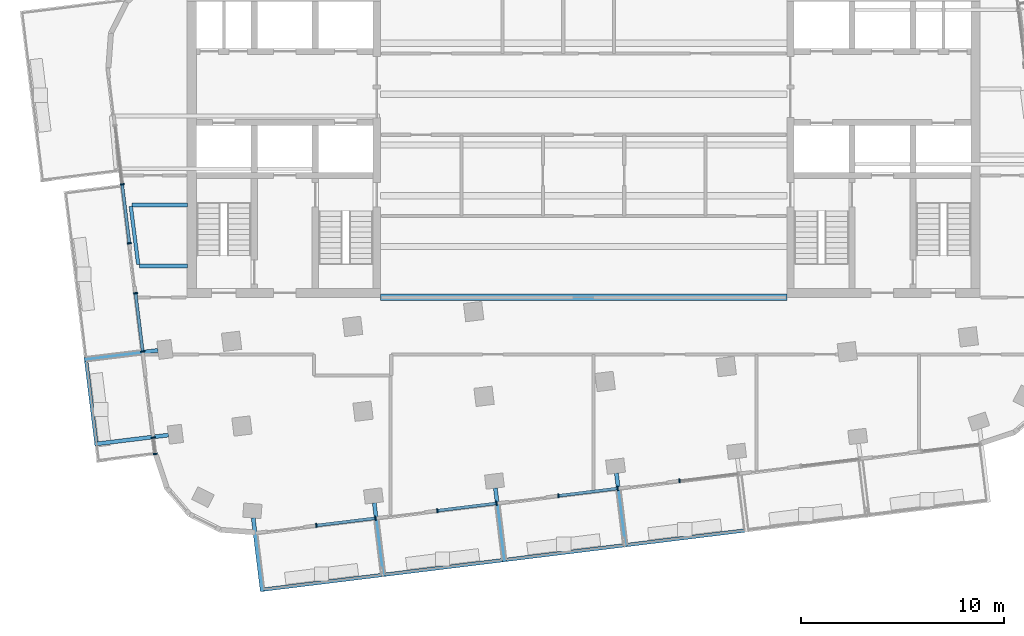
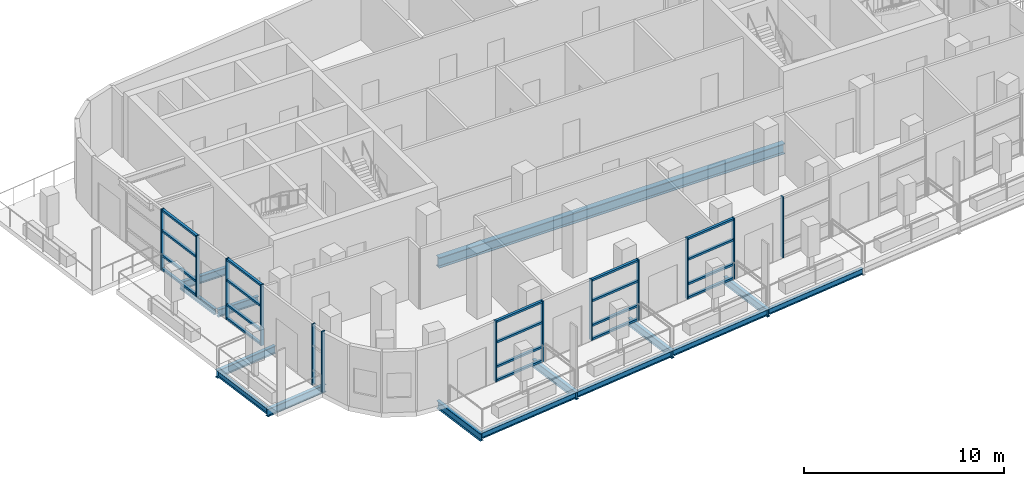
# One storey, part 2 of 14: 33 members, 15 beams, 7 elements without a shape of their own.
"""IFC4 building model written with IfcOpenShell, lengths in metres."""

from ifc_helpers import new_model, si_unit, direction, frame, origin, origin_2d, place, context, subcontext, project, spatial, rectangle, i_section, extrude, material, layer, layer_set, material_profile, profile_set, type_object, element, aggregate, save


model = new_model("IFC4")

# Units and contexts
model_context = context("Model", 3, precision=1e-05, world=origin(), true_north=direction((0.0, 1.0)))
body_context = subcontext(model_context, "Body", "Model", "MODEL_VIEW")
ifc_project = project(units=[si_unit("LENGTHUNIT", "METRE"), si_unit("AREAUNIT", "SQUARE_METRE"), si_unit("VOLUMEUNIT", "CUBIC_METRE"), si_unit("PLANEANGLEUNIT", "RADIAN"), si_unit("MASSUNIT", "GRAM", prefix="KILO")], contexts=[model_context])

# Site, building, storey
site_placement = place(None, origin())
site = spatial("IfcSite", under=ifc_project, at=site_placement, CompositionType="ELEMENT")
building_placement = place(site_placement, origin())
building = spatial("IfcBuilding", under=site, at=building_placement, Name="Torana Hotel and Residences", CompositionType="ELEMENT")
storey_placement = place(building_placement, frame((0.0, 0.0, 338.60009765625)))
storey = spatial("IfcBuildingStorey", under=building, at=storey_placement, Name="L89", CompositionType="ELEMENT", Elevation=338.60009765625)

# Beams
ifc_material_1 = material(Name="Steel S355", Category="steel")
ifc_material_profile_1 = material_profile(ifc_material_1, i_section(OverallWidth=0.19287109375, OverallDepth=0.46728515625, WebThickness=0.011474609375, FlangeThickness=0.01953125, FilletRadius=0.01025390625, at=origin_2d()), Name="457x191x98 UB")
ifc_profile_set_1 = profile_set([ifc_material_profile_1], Name="Steel S355")
beam_type_1 = type_object("IfcBeamType", Name="BALCONY CANTILEVER BEAM 457x191x98 UB", PredefinedType="BEAM", material=ifc_profile_set_1)
beam_1_placement = place(storey_placement, frame((-16.251708984375, -25.84130859375, -0.513671875), z_axis=(0.12194557952, -0.992536788051, 0.0), x_axis=(0.992536788051, 0.12194557952, 0.0)))
element("IfcBeam", 1, at=beam_1_placement, inside=storey, type_object=beam_type_1, Name="Balcony cantilever beam", PredefinedType="BEAM", context=body_context, shape_type="SweptSolid", body=[
    extrude(i_section(OverallWidth=0.19287109375, OverallDepth=0.46728515625, WebThickness=0.011474609375, FlangeThickness=0.01953125, FilletRadius=0.01025390625, at=origin_2d()), origin(), (0.0, 0.0, 1.0), 3.65380859375),
])
beam_2_placement = place(storey_placement, frame((-10.296630859375, -25.103515625, -0.513671875), z_axis=(0.121727603609, -0.992563544827, 0.0), x_axis=(0.992563544827, 0.121727603609, 0.0)))
element("IfcBeam", 2, at=beam_2_placement, inside=storey, type_object=beam_type_1, Name="Balcony cantilever beam", PredefinedType="BEAM", context=body_context, shape_type="SweptSolid", body=[
    extrude(i_section(OverallWidth=0.19287109375, OverallDepth=0.46728515625, WebThickness=0.011474609375, FlangeThickness=0.01953125, FilletRadius=0.01025390625, at=origin_2d()), origin(), (0.0, 0.0, 1.0), 3.66015625),
])
beam_3_placement = place(storey_placement, frame((-4.341552734375, -24.37255859375, -0.513671875), z_axis=(0.121809442808, -0.992553504675, 0.0), x_axis=(0.992553504675, 0.121809442808, 0.0)))
element("IfcBeam", 3, at=beam_3_placement, inside=storey, type_object=beam_type_1, Name="Balcony cantilever beam", PredefinedType="BEAM", context=body_context, shape_type="SweptSolid", body=[
    extrude(i_section(OverallWidth=0.19287109375, OverallDepth=0.46728515625, WebThickness=0.011474609375, FlangeThickness=0.01953125, FilletRadius=0.01025390625, at=origin_2d()), origin(), (0.0, 0.0, 1.0), 3.659912109375),
])
beam_4_placement = place(storey_placement, frame((1.61328125, -23.6416015625, -0.513671875), z_axis=(0.121948950891, -0.99253637383, 0.0), x_axis=(0.99253637383, 0.121948950891, 0.0)))
element("IfcBeam", 4, at=beam_4_placement, inside=storey, type_object=beam_type_1, Name="Balcony cantilever beam", PredefinedType="BEAM", context=body_context, shape_type="SweptSolid", body=[
    extrude(i_section(OverallWidth=0.19287109375, OverallDepth=0.46728515625, WebThickness=0.011474609375, FlangeThickness=0.01953125, FilletRadius=0.01025390625, at=origin_2d()), origin(), (0.0, 0.0, 1.0), 3.65966796875),
])
for number, where, z_axis, x_axis, name in (
    (5, (-20.930419921875, -17.603515625, -0.513671875), (-0.992537365838, -0.121940876722, 0.0), (0.121940876722, -0.992537365838, 0.0), "Balcony cantilever beam"),
    (6, (-20.41845703125, -21.7724609375, -0.513671875), (-0.992545437366, -0.121875160566, 0.0), (0.121875160566, -0.992545437366, 0.0), "Balcony cantilever beam"),
):
    element("IfcBeam", number, at=place(storey_placement, frame(where, z_axis=z_axis, x_axis=x_axis)), inside=storey, type_object=beam_type_1, Name=name, PredefinedType="BEAM", context=body_context, shape_type="SweptSolid", body=[
        extrude(i_section(OverallWidth=0.19287109375, OverallDepth=0.46728515625, WebThickness=0.011474609375, FlangeThickness=0.01953125, FilletRadius=0.01025390625, at=origin_2d()), origin(), (0.0, 0.0, 1.0), 3.659912109375),
    ])
beam_5_placement = place(storey_placement, frame((-19.489990234375, -13.449951171875, -0.513671875), z_axis=(-1.0, 0.0, 0.0), x_axis=(0.0, -1.0, 0.0)))
element("IfcBeam", 7, at=beam_5_placement, inside=storey, type_object=beam_type_1, Name="Balcony cantilever beam", PredefinedType="BEAM", context=body_context, shape_type="SweptSolid", body=[
    extrude(i_section(OverallWidth=0.19287109375, OverallDepth=0.46728515625, WebThickness=0.011474609375, FlangeThickness=0.01953125, FilletRadius=0.01025390625, at=origin_2d()), origin(), (0.0, 0.0, 1.0), 2.360107421875),
])
beam_6_placement = place(storey_placement, frame((-19.489990234375, -10.449951171875, -0.513671875), z_axis=(-1.0, 0.0, 0.0), x_axis=(0.0, -1.0, 0.0)))
element("IfcBeam", 8, at=beam_6_placement, inside=storey, type_object=beam_type_1, Name="Balcony cantilever beam", PredefinedType="BEAM", context=body_context, shape_type="SweptSolid", body=[
    extrude(i_section(OverallWidth=0.19287109375, OverallDepth=0.46728515625, WebThickness=0.011474609375, FlangeThickness=0.01953125, FilletRadius=0.01025390625, at=origin_2d()), origin(), (0.0, 0.0, 1.0), 2.728515625),
])
ifc_material_2 = material(Name="Steel S355", Category="steel")
ifc_material_profile_2 = material_profile(ifc_material_2, i_section(OverallWidth=0.173095703125, OverallDepth=0.36328125, WebThickness=0.009033203125, FlangeThickness=0.015625, FilletRadius=0.01025390625, at=origin_2d()), Name="356x171x67 UB")
ifc_profile_set_2 = profile_set([ifc_material_profile_2], Name="Steel S355")
beam_type_2 = type_object("IfcBeamType", Name="BALCONY TIP BEAM 356x171x67 UB", PredefinedType="BEAM", material=ifc_profile_set_2)
for number, where, z_axis, x_axis, name in (
    (9, (-9.927490234375, -28.65869140625, -0.4619140625), (-0.992545044936, -0.121878356459, 0.0), (0.121878356459, -0.992545044936, 0.0), "Balcony tip beam"),
    (10, (-3.97216796875, -27.92724609375, -0.4619140625), (-0.992540010453, -0.121919348955, 0.0), (0.121919348955, -0.992540010453, 0.0), "Balcony tip beam"),
    (11, (1.983154296875, -27.196044921875, -0.4619140625), (-0.992545044936, -0.121878356459, 0.0), (0.121878356459, -0.992545044936, 0.0), "Balcony tip beam"),
    (12, (7.9384765625, -26.46484375, -0.4619140625), (-0.992545044936, -0.121878356459, 0.0), (0.121878356459, -0.992545044936, 0.0), "Balcony tip beam"),
):
    element("IfcBeam", number, at=place(storey_placement, frame(where, z_axis=z_axis, x_axis=x_axis)), inside=storey, type_object=beam_type_2, Name=name, PredefinedType="BEAM", context=body_context, shape_type="SweptSolid", body=[
        extrude(i_section(OverallWidth=0.173095703125, OverallDepth=0.36328125, WebThickness=0.009033203125, FlangeThickness=0.015625, FilletRadius=0.01025390625, at=origin_2d()), origin(), (0.0, 0.0, 1.0), 5.8671875),
    ])
beam_7_placement = place(storey_placement, frame((-23.97314453125, -22.14208984375, -0.4619140625), z_axis=(-0.121906862374, 0.992541544171, 0.0), x_axis=(-0.992541544171, -0.121906862374, 0.0)))
element("IfcBeam", 13, at=beam_7_placement, inside=storey, type_object=beam_type_2, Name="Balcony tip beam", PredefinedType="BEAM", context=body_context, shape_type="SweptSolid", body=[
    extrude(i_section(OverallWidth=0.173095703125, OverallDepth=0.36328125, WebThickness=0.009033203125, FlangeThickness=0.015625, FilletRadius=0.01025390625, at=origin_2d()), origin(), (0.0, 0.0, 1.0), 4.0673828125),
])
beam_8_placement = place(storey_placement, frame((-21.90673828125, -13.383544921875, -0.4619140625), z_axis=(-0.127443407553, 0.991845843804, 0.0), x_axis=(-0.991845843804, -0.127443407553, 0.0)))
element("IfcBeam", 14, at=beam_8_placement, inside=storey, type_object=beam_type_2, Name="Balcony tip beam", PredefinedType="BEAM", context=body_context, shape_type="SweptSolid", body=[
    extrude(i_section(OverallWidth=0.173095703125, OverallDepth=0.36328125, WebThickness=0.009033203125, FlangeThickness=0.015625, FilletRadius=0.01025390625, at=origin_2d()), origin(), (0.0, 0.0, 1.0), 2.890869140625),
])

# Curtain wall, members
ifc_material_3 = material(Name="Dark anodised aluminium", Category="aluminium")
ifc_layer = layer(ifc_material_3, 0.199951171875)
ifc_layer_set = layer_set([ifc_layer], Name="CW3 SKY CLUB UNITISED CURTAIN WALL")
curtain_wall_type = type_object("IfcCurtainWallType", Name="CW3 SKY CLUB UNITISED CURTAIN WALL", PredefinedType="NOTDEFINED", material=ifc_layer_set)
curtain_wall_1_placement = place(storey_placement, origin())
curtain_wall_1 = element("IfcCurtainWall", 15, at=curtain_wall_1_placement, inside=storey, type_object=curtain_wall_type, Name="Curtain wall CW3 L89 e0.9-2", PredefinedType="NOTDEFINED")
ifc_material_4 = material(Name="Dark anodised aluminium", Category="aluminium")
ifc_material_profile_3 = material_profile(ifc_material_4, rectangle(XDim=0.199951171875, YDim=0.070068359375, at=origin_2d()), Name="CW3 MULLION 70x200")
ifc_profile_set_3 = profile_set([ifc_material_profile_3], Name="Dark anodised aluminium")
member_type_1 = type_object("IfcMemberType", Name="CW3 MULLION 70x200", PredefinedType="MULLION", material=ifc_profile_set_3)
member_1_placement = place(storey_placement, frame((-22.69873046875, -9.43701171875, 0.0), z_axis=(0.0, 0.0, 1.0), x_axis=(0.992545392029, 0.121875529794, 0.0)))
member_1 = element("IfcMember", 16, at=member_1_placement, type_object=member_type_1, Name="CW3 mullion 2", PredefinedType="MULLION", context=body_context, shape_type="SweptSolid", body=[
    extrude(rectangle(XDim=0.199951171875, YDim=0.070068359375, at=origin_2d()), origin(), (0.0, 0.0, 1.0), 3.719970703125),
])
member_2_placement = place(storey_placement, frame((-22.34228515625, -12.339111328125, 0.0), z_axis=(0.0, 0.0, 1.0), x_axis=(0.992545392029, 0.121875529794, 0.0)))
member_2 = element("IfcMember", 17, at=member_2_placement, type_object=member_type_1, Name="CW3 mullion 3", PredefinedType="MULLION", context=body_context, shape_type="SweptSolid", body=[
    extrude(rectangle(XDim=0.199951171875, YDim=0.070068359375, at=origin_2d()), origin(), (0.0, 0.0, 1.0), 3.719970703125),
])

curtain_wall_2_placement = place(storey_placement, origin())
curtain_wall_2 = element("IfcCurtainWall", 18, at=curtain_wall_2_placement, inside=storey, type_object=curtain_wall_type, Name="Curtain wall CW3 L89 e0.9-4", PredefinedType="NOTDEFINED")
member_3_placement = place(storey_placement, frame((-22.041259765625, -14.79052734375, 0.0), z_axis=(0.0, 0.0, 1.0), x_axis=(0.992547610171, 0.121857464048, 0.0)))
member_3 = element("IfcMember", 19, at=member_3_placement, type_object=member_type_1, Name="CW3 mullion 1", PredefinedType="MULLION", context=body_context, shape_type="SweptSolid", body=[
    extrude(rectangle(XDim=0.199951171875, YDim=0.070068359375, at=origin_2d()), origin(), (0.0, 0.0, 1.0), 3.719970703125),
])
member_4_placement = place(storey_placement, frame((-21.68896484375, -17.66162109375, 0.0), z_axis=(0.0, 0.0, 1.0), x_axis=(0.992547610171, 0.121857464048, 0.0)))
member_4 = element("IfcMember", 20, at=member_4_placement, type_object=member_type_1, Name="CW3 mullion 2", PredefinedType="MULLION", context=body_context, shape_type="SweptSolid", body=[
    extrude(rectangle(XDim=0.199951171875, YDim=0.070068359375, at=origin_2d()), origin(), (0.0, 0.0, 1.0), 3.719970703125),
])

curtain_wall_3_placement = place(storey_placement, origin())
curtain_wall_3 = element("IfcCurtainWall", 21, at=curtain_wall_3_placement, inside=storey, type_object=curtain_wall_type, Name="Curtain wall CW3 L89 e0.9-6", PredefinedType="NOTDEFINED")
member_5_placement = place(storey_placement, frame((-21.16845703125, -21.899658203125, 0.0), z_axis=(0.0, 0.0, 1.0), x_axis=(0.992544425058, 0.121883404477, 0.0)))
member_5 = element("IfcMember", 22, at=member_5_placement, type_object=member_type_1, Name="CW3 mullion 1", PredefinedType="MULLION", context=body_context, shape_type="SweptSolid", body=[
    extrude(rectangle(XDim=0.199951171875, YDim=0.070068359375, at=origin_2d()), origin(), (0.0, 0.0, 1.0), 3.719970703125),
])
member_6_placement = place(storey_placement, frame((-21.0703125, -22.69921875, 0.0), z_axis=(0.0, 0.0, 1.0), x_axis=(0.992544425058, 0.121883404477, 0.0)))
member_6 = element("IfcMember", 23, at=member_6_placement, type_object=member_type_1, Name="CW3 mullion 2", PredefinedType="MULLION", context=body_context, shape_type="SweptSolid", body=[
    extrude(rectangle(XDim=0.199951171875, YDim=0.070068359375, at=origin_2d()), origin(), (0.0, 0.0, 1.0), 3.719970703125),
])
aggregate(curtain_wall_3, [member_5, member_6])

curtain_wall_4_placement = place(storey_placement, origin())
curtain_wall_4 = element("IfcCurtainWall", 24, at=curtain_wall_4_placement, inside=storey, type_object=curtain_wall_type, Name="Curtain wall CW3 L89 e0.14-2", PredefinedType="NOTDEFINED")
member_7_placement = place(storey_placement, frame((-13.147216796875, -26.21923828125, 0.0), z_axis=(0.0, 0.0, 1.0), x_axis=(-0.121868256929, 0.992546285043, 0.0)))
member_7 = element("IfcMember", 25, at=member_7_placement, type_object=member_type_1, Name="CW3 mullion 1", PredefinedType="MULLION", context=body_context, shape_type="SweptSolid", body=[
    extrude(rectangle(XDim=0.199951171875, YDim=0.070068359375, at=origin_2d()), origin(), (0.0, 0.0, 1.0), 3.719970703125),
])
member_8_placement = place(storey_placement, frame((-10.2392578125, -25.8623046875, 0.0), z_axis=(0.0, 0.0, 1.0), x_axis=(-0.121868256929, 0.992546285043, 0.0)))
member_8 = element("IfcMember", 26, at=member_8_placement, type_object=member_type_1, Name="CW3 mullion 2", PredefinedType="MULLION", context=body_context, shape_type="SweptSolid", body=[
    extrude(rectangle(XDim=0.199951171875, YDim=0.070068359375, at=origin_2d()), origin(), (0.0, 0.0, 1.0), 3.719970703125),
])

curtain_wall_5_placement = place(storey_placement, origin())
curtain_wall_5 = element("IfcCurtainWall", 27, at=curtain_wall_5_placement, inside=storey, type_object=curtain_wall_type, Name="Curtain wall CW3 L89 e0.14-4", PredefinedType="NOTDEFINED")
member_9_placement = place(storey_placement, frame((-7.192138671875, -25.488037109375, 0.0), z_axis=(0.0, 0.0, 1.0), x_axis=(-0.121864225005, 0.992546780088, 0.0)))
member_9 = element("IfcMember", 28, at=member_9_placement, type_object=member_type_1, Name="CW3 mullion 1", PredefinedType="MULLION", context=body_context, shape_type="SweptSolid", body=[
    extrude(rectangle(XDim=0.199951171875, YDim=0.070068359375, at=origin_2d()), origin(), (0.0, 0.0, 1.0), 3.719970703125),
])
member_10_placement = place(storey_placement, frame((-4.283935546875, -25.131103515625, 0.0), z_axis=(0.0, 0.0, 1.0), x_axis=(-0.121864225005, 0.992546780088, 0.0)))
member_10 = element("IfcMember", 29, at=member_10_placement, type_object=member_type_1, Name="CW3 mullion 2", PredefinedType="MULLION", context=body_context, shape_type="SweptSolid", body=[
    extrude(rectangle(XDim=0.199951171875, YDim=0.070068359375, at=origin_2d()), origin(), (0.0, 0.0, 1.0), 3.719970703125),
])

curtain_wall_6_placement = place(storey_placement, origin())
curtain_wall_6 = element("IfcCurtainWall", 30, at=curtain_wall_6_placement, inside=storey, type_object=curtain_wall_type, Name="Curtain wall CW3 L89 e0.14-6", PredefinedType="NOTDEFINED")
member_11_placement = place(storey_placement, frame((-1.23681640625, -24.7568359375, 0.0), z_axis=(0.0, 0.0, 1.0), x_axis=(-0.121864225005, 0.992546780088, 0.0)))
member_11 = element("IfcMember", 31, at=member_11_placement, type_object=member_type_1, Name="CW3 mullion 1", PredefinedType="MULLION", context=body_context, shape_type="SweptSolid", body=[
    extrude(rectangle(XDim=0.199951171875, YDim=0.070068359375, at=origin_2d()), origin(), (0.0, 0.0, 1.0), 3.719970703125),
])
member_12_placement = place(storey_placement, frame((1.67138671875, -24.39990234375, 0.0), z_axis=(0.0, 0.0, 1.0), x_axis=(-0.121864225005, 0.992546780088, 0.0)))
member_12 = element("IfcMember", 32, at=member_12_placement, type_object=member_type_1, Name="CW3 mullion 2", PredefinedType="MULLION", context=body_context, shape_type="SweptSolid", body=[
    extrude(rectangle(XDim=0.199951171875, YDim=0.070068359375, at=origin_2d()), origin(), (0.0, 0.0, 1.0), 3.719970703125),
])

# Curtain wall, member
curtain_wall_7_placement = place(storey_placement, origin())
curtain_wall_7 = element("IfcCurtainWall", 33, at=curtain_wall_7_placement, inside=storey, type_object=curtain_wall_type, Name="Curtain wall CW3 L89 e0.14-8", PredefinedType="NOTDEFINED")
member_13_placement = place(storey_placement, frame((4.718505859375, -24.025634765625, 0.0), z_axis=(0.0, 0.0, 1.0), x_axis=(-0.121868256929, 0.992546285043, 0.0)))
member_13 = element("IfcMember", 34, at=member_13_placement, type_object=member_type_1, Name="CW3 mullion 1", PredefinedType="MULLION", context=body_context, shape_type="SweptSolid", body=[
    extrude(rectangle(XDim=0.199951171875, YDim=0.070068359375, at=origin_2d()), origin(), (0.0, 0.0, 1.0), 3.719970703125),
])
aggregate(curtain_wall_7, [member_13])

# Member
ifc_material_5 = material(Name="Dark anodised aluminium", Category="aluminium")
ifc_material_profile_4 = material_profile(ifc_material_5, rectangle(XDim=0.14990234375, YDim=0.1201171875, at=origin_2d()), Name="CW3 TRANSOM 150x120")
ifc_profile_set_4 = profile_set([ifc_material_profile_4], Name="Dark anodised aluminium")
member_type_2 = type_object("IfcMemberType", Name="CW3 TRANSOM 150x120", PredefinedType="USERDEFINED", material=ifc_profile_set_4)
member_14_placement = place(storey_placement, frame((-22.6943359375, -9.471923828125, 0.059814453125), z_axis=(0.121823286606, -0.99255180562, 0.0), x_axis=(0.99255180562, 0.121823286606, 0.0)))
member_14 = element("IfcMember", 35, at=member_14_placement, type_object=member_type_2, Name="CW3 transom 2.1", ObjectType="TRANSOM", PredefinedType="USERDEFINED", context=body_context, shape_type="SweptSolid", body=[
    extrude(rectangle(XDim=0.14990234375, YDim=0.1201171875, at=origin_2d()), origin(), (0.0, 0.0, 1.0), 2.853759765625),
])

member_15_placement = place(storey_placement, frame((-22.6943359375, -9.471923828125, 0.89990234375), z_axis=(0.121823286606, -0.99255180562, 0.0), x_axis=(0.99255180562, 0.121823286606, 0.0)))
member_15 = element("IfcMember", 36, at=member_15_placement, type_object=member_type_2, Name="CW3 transom 2.2", ObjectType="TRANSOM", PredefinedType="USERDEFINED", context=body_context, shape_type="SweptSolid", body=[
    extrude(rectangle(XDim=0.14990234375, YDim=0.1201171875, at=origin_2d()), origin(), (0.0, 0.0, 1.0), 2.853759765625),
])

member_16_placement = place(storey_placement, frame((-22.6943359375, -9.471923828125, 2.39990234375), z_axis=(0.121823286606, -0.99255180562, 0.0), x_axis=(0.99255180562, 0.121823286606, 0.0)))
member_16 = element("IfcMember", 37, at=member_16_placement, type_object=member_type_2, Name="CW3 transom 2.3", ObjectType="TRANSOM", PredefinedType="USERDEFINED", context=body_context, shape_type="SweptSolid", body=[
    extrude(rectangle(XDim=0.14990234375, YDim=0.1201171875, at=origin_2d()), origin(), (0.0, 0.0, 1.0), 2.853759765625),
])

member_17_placement = place(storey_placement, frame((-22.6943359375, -9.471923828125, 3.659912109375), z_axis=(0.121823286606, -0.99255180562, 0.0), x_axis=(0.99255180562, 0.121823286606, 0.0)))
member_17 = element("IfcMember", 38, at=member_17_placement, type_object=member_type_2, Name="CW3 transom 2.4", ObjectType="TRANSOM", PredefinedType="USERDEFINED", context=body_context, shape_type="SweptSolid", body=[
    extrude(rectangle(XDim=0.14990234375, YDim=0.1201171875, at=origin_2d()), origin(), (0.0, 0.0, 1.0), 2.853759765625),
])

aggregate(curtain_wall_1, [member_1, member_2, member_14, member_15, member_16, member_17])

member_18_placement = place(storey_placement, frame((-22.037109375, -14.825439453125, 0.059814453125), z_axis=(0.12188382621, -0.992544373269, 0.0), x_axis=(0.992544373269, 0.12188382621, 0.0)))
member_18 = element("IfcMember", 39, at=member_18_placement, type_object=member_type_2, Name="CW3 transom 1.1", ObjectType="TRANSOM", PredefinedType="USERDEFINED", context=body_context, shape_type="SweptSolid", body=[
    extrude(rectangle(XDim=0.14990234375, YDim=0.1201171875, at=origin_2d()), origin(), (0.0, 0.0, 1.0), 2.822265625),
])

member_19_placement = place(storey_placement, frame((-22.037109375, -14.825439453125, 0.89990234375), z_axis=(0.12188382621, -0.992544373269, 0.0), x_axis=(0.992544373269, 0.12188382621, 0.0)))
member_19 = element("IfcMember", 40, at=member_19_placement, type_object=member_type_2, Name="CW3 transom 1.2", ObjectType="TRANSOM", PredefinedType="USERDEFINED", context=body_context, shape_type="SweptSolid", body=[
    extrude(rectangle(XDim=0.14990234375, YDim=0.1201171875, at=origin_2d()), origin(), (0.0, 0.0, 1.0), 2.822265625),
])

member_20_placement = place(storey_placement, frame((-22.037109375, -14.825439453125, 2.39990234375), z_axis=(0.12188382621, -0.992544373269, 0.0), x_axis=(0.992544373269, 0.12188382621, 0.0)))
member_20 = element("IfcMember", 41, at=member_20_placement, type_object=member_type_2, Name="CW3 transom 1.3", ObjectType="TRANSOM", PredefinedType="USERDEFINED", context=body_context, shape_type="SweptSolid", body=[
    extrude(rectangle(XDim=0.14990234375, YDim=0.1201171875, at=origin_2d()), origin(), (0.0, 0.0, 1.0), 2.822265625),
])

member_21_placement = place(storey_placement, frame((-22.037109375, -14.825439453125, 3.659912109375), z_axis=(0.12188382621, -0.992544373269, 0.0), x_axis=(0.992544373269, 0.12188382621, 0.0)))
member_21 = element("IfcMember", 42, at=member_21_placement, type_object=member_type_2, Name="CW3 transom 1.4", ObjectType="TRANSOM", PredefinedType="USERDEFINED", context=body_context, shape_type="SweptSolid", body=[
    extrude(rectangle(XDim=0.14990234375, YDim=0.1201171875, at=origin_2d()), origin(), (0.0, 0.0, 1.0), 2.822265625),
])

aggregate(curtain_wall_2, [member_3, member_4, member_18, member_19, member_20, member_21])

member_22_placement = place(storey_placement, frame((-13.112548828125, -26.215087890625, 0.059814453125), z_axis=(0.992542186909, 0.121901629217, 0.0), x_axis=(-0.121901629217, 0.992542186909, 0.0)))
member_22 = element("IfcMember", 43, at=member_22_placement, type_object=member_type_2, Name="CW3 transom 1.1", ObjectType="TRANSOM", PredefinedType="USERDEFINED", context=body_context, shape_type="SweptSolid", body=[
    extrude(rectangle(XDim=0.14990234375, YDim=0.1201171875, at=origin_2d()), origin(), (0.0, 0.0, 1.0), 2.85986328125),
])

member_23_placement = place(storey_placement, frame((-13.112548828125, -26.215087890625, 0.89990234375), z_axis=(0.992542186909, 0.121901629217, 0.0), x_axis=(-0.121901629217, 0.992542186909, 0.0)))
member_23 = element("IfcMember", 44, at=member_23_placement, type_object=member_type_2, Name="CW3 transom 1.2", ObjectType="TRANSOM", PredefinedType="USERDEFINED", context=body_context, shape_type="SweptSolid", body=[
    extrude(rectangle(XDim=0.14990234375, YDim=0.1201171875, at=origin_2d()), origin(), (0.0, 0.0, 1.0), 2.85986328125),
])

member_24_placement = place(storey_placement, frame((-13.112548828125, -26.215087890625, 2.39990234375), z_axis=(0.992542186909, 0.121901629217, 0.0), x_axis=(-0.121901629217, 0.992542186909, 0.0)))
member_24 = element("IfcMember", 45, at=member_24_placement, type_object=member_type_2, Name="CW3 transom 1.3", ObjectType="TRANSOM", PredefinedType="USERDEFINED", context=body_context, shape_type="SweptSolid", body=[
    extrude(rectangle(XDim=0.14990234375, YDim=0.1201171875, at=origin_2d()), origin(), (0.0, 0.0, 1.0), 2.85986328125),
])

member_25_placement = place(storey_placement, frame((-13.112548828125, -26.215087890625, 3.659912109375), z_axis=(0.992542186909, 0.121901629217, 0.0), x_axis=(-0.121901629217, 0.992542186909, 0.0)))
member_25 = element("IfcMember", 46, at=member_25_placement, type_object=member_type_2, Name="CW3 transom 1.4", ObjectType="TRANSOM", PredefinedType="USERDEFINED", context=body_context, shape_type="SweptSolid", body=[
    extrude(rectangle(XDim=0.14990234375, YDim=0.1201171875, at=origin_2d()), origin(), (0.0, 0.0, 1.0), 2.85986328125),
])

aggregate(curtain_wall_4, [member_7, member_8, member_22, member_23, member_24, member_25])

member_26_placement = place(storey_placement, frame((-7.1572265625, -25.48388671875, 0.059814453125), z_axis=(0.992542186909, 0.121901629217, 0.0), x_axis=(-0.121901629217, 0.992542186909, 0.0)))
member_26 = element("IfcMember", 47, at=member_26_placement, type_object=member_type_2, Name="CW3 transom 1.1", ObjectType="TRANSOM", PredefinedType="USERDEFINED", context=body_context, shape_type="SweptSolid", body=[
    extrude(rectangle(XDim=0.14990234375, YDim=0.1201171875, at=origin_2d()), origin(), (0.0, 0.0, 1.0), 2.85986328125),
])

member_27_placement = place(storey_placement, frame((-7.1572265625, -25.48388671875, 0.89990234375), z_axis=(0.992542186909, 0.121901629217, 0.0), x_axis=(-0.121901629217, 0.992542186909, 0.0)))
member_27 = element("IfcMember", 48, at=member_27_placement, type_object=member_type_2, Name="CW3 transom 1.2", ObjectType="TRANSOM", PredefinedType="USERDEFINED", context=body_context, shape_type="SweptSolid", body=[
    extrude(rectangle(XDim=0.14990234375, YDim=0.1201171875, at=origin_2d()), origin(), (0.0, 0.0, 1.0), 2.85986328125),
])

member_28_placement = place(storey_placement, frame((-7.1572265625, -25.48388671875, 2.39990234375), z_axis=(0.992542186909, 0.121901629217, 0.0), x_axis=(-0.121901629217, 0.992542186909, 0.0)))
member_28 = element("IfcMember", 49, at=member_28_placement, type_object=member_type_2, Name="CW3 transom 1.3", ObjectType="TRANSOM", PredefinedType="USERDEFINED", context=body_context, shape_type="SweptSolid", body=[
    extrude(rectangle(XDim=0.14990234375, YDim=0.1201171875, at=origin_2d()), origin(), (0.0, 0.0, 1.0), 2.85986328125),
])

member_29_placement = place(storey_placement, frame((-7.1572265625, -25.48388671875, 3.659912109375), z_axis=(0.992542186909, 0.121901629217, 0.0), x_axis=(-0.121901629217, 0.992542186909, 0.0)))
member_29 = element("IfcMember", 50, at=member_29_placement, type_object=member_type_2, Name="CW3 transom 1.4", ObjectType="TRANSOM", PredefinedType="USERDEFINED", context=body_context, shape_type="SweptSolid", body=[
    extrude(rectangle(XDim=0.14990234375, YDim=0.1201171875, at=origin_2d()), origin(), (0.0, 0.0, 1.0), 2.85986328125),
])

aggregate(curtain_wall_5, [member_9, member_10, member_26, member_27, member_28, member_29])

member_30_placement = place(storey_placement, frame((-1.201904296875, -24.752685546875, 0.059814453125), z_axis=(0.992542186909, 0.121901629217, 0.0), x_axis=(-0.121901629217, 0.992542186909, 0.0)))
member_30 = element("IfcMember", 51, at=member_30_placement, type_object=member_type_2, Name="CW3 transom 1.1", ObjectType="TRANSOM", PredefinedType="USERDEFINED", context=body_context, shape_type="SweptSolid", body=[
    extrude(rectangle(XDim=0.14990234375, YDim=0.1201171875, at=origin_2d()), origin(), (0.0, 0.0, 1.0), 2.85986328125),
])

member_31_placement = place(storey_placement, frame((-1.201904296875, -24.752685546875, 0.89990234375), z_axis=(0.992542186909, 0.121901629217, 0.0), x_axis=(-0.121901629217, 0.992542186909, 0.0)))
member_31 = element("IfcMember", 52, at=member_31_placement, type_object=member_type_2, Name="CW3 transom 1.2", ObjectType="TRANSOM", PredefinedType="USERDEFINED", context=body_context, shape_type="SweptSolid", body=[
    extrude(rectangle(XDim=0.14990234375, YDim=0.1201171875, at=origin_2d()), origin(), (0.0, 0.0, 1.0), 2.85986328125),
])

member_32_placement = place(storey_placement, frame((-1.201904296875, -24.752685546875, 2.39990234375), z_axis=(0.992542186909, 0.121901629217, 0.0), x_axis=(-0.121901629217, 0.992542186909, 0.0)))
member_32 = element("IfcMember", 53, at=member_32_placement, type_object=member_type_2, Name="CW3 transom 1.3", ObjectType="TRANSOM", PredefinedType="USERDEFINED", context=body_context, shape_type="SweptSolid", body=[
    extrude(rectangle(XDim=0.14990234375, YDim=0.1201171875, at=origin_2d()), origin(), (0.0, 0.0, 1.0), 2.85986328125),
])

member_33_placement = place(storey_placement, frame((-1.201904296875, -24.752685546875, 3.659912109375), z_axis=(0.992542186909, 0.121901629217, 0.0), x_axis=(-0.121901629217, 0.992542186909, 0.0)))
member_33 = element("IfcMember", 54, at=member_33_placement, type_object=member_type_2, Name="CW3 transom 1.4", ObjectType="TRANSOM", PredefinedType="USERDEFINED", context=body_context, shape_type="SweptSolid", body=[
    extrude(rectangle(XDim=0.14990234375, YDim=0.1201171875, at=origin_2d()), origin(), (0.0, 0.0, 1.0), 2.85986328125),
])

aggregate(curtain_wall_6, [member_11, member_12, member_30, member_31, member_32, member_33])

# Beam
ifc_material_6 = material(Name="Steel S355", Category="steel")
ifc_material_profile_5 = material_profile(ifc_material_6, i_section(OverallWidth=0.311279296875, OverallDepth=0.6357421875, WebThickness=0.018310546875, FlangeThickness=0.031494140625, FilletRadius=0.0166015625, at=origin_2d()), Name="610x305x238 UB")
ifc_profile_set_5 = profile_set([ifc_material_profile_5], Name="Steel S355")
beam_type_3 = type_object("IfcBeamType", Name="STEEL GIRDER 610x305x238 UB", PredefinedType="BEAM", material=ifc_profile_set_5)
beam_9_placement = place(storey_placement, frame((-10.0, -15.0, -0.597900390625), z_axis=(1.0, 0.0, 0.0), x_axis=(0.0, 1.0, 0.0)))
element("IfcBeam", 55, at=beam_9_placement, inside=storey, type_object=beam_type_3, Name="Floor girder", PredefinedType="BEAM", context=body_context, shape_type="SweptSolid", body=[
    extrude(i_section(OverallWidth=0.311279296875, OverallDepth=0.6357421875, WebThickness=0.018310546875, FlangeThickness=0.031494140625, FilletRadius=0.0166015625, at=origin_2d()), origin(), (0.0, 0.0, 1.0), 20.0),
])

save(model, "model.ifc")
